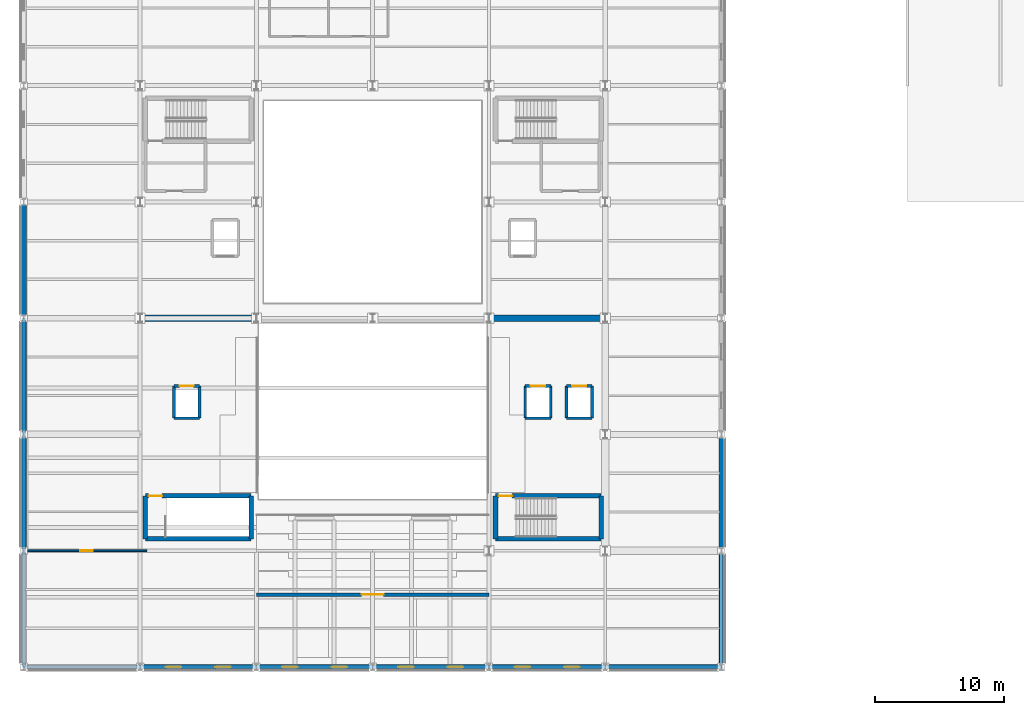
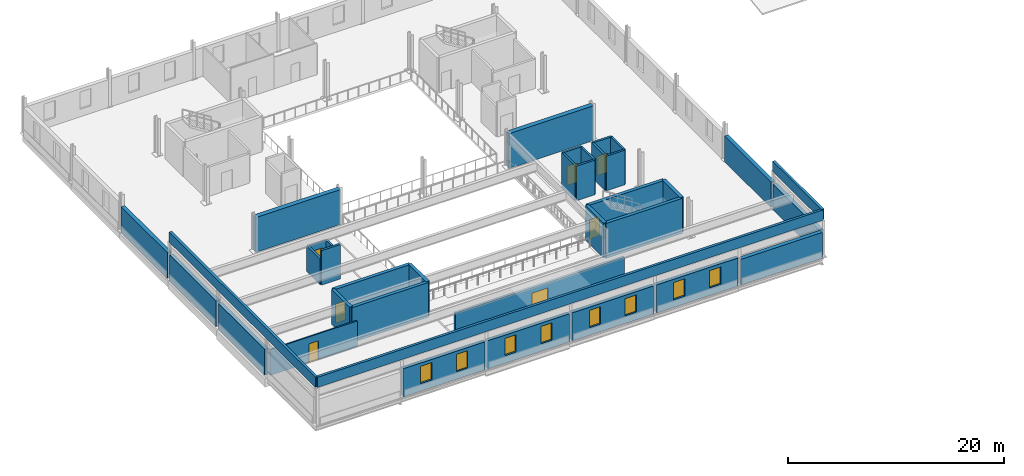
# One storey, part 9 of 17: 37 walls, 8 windows, 7 doors, 15 openings.
"""IFC4 building model written with IfcOpenShell, lengths in metres."""

from ifc_helpers import new_model, si_unit, direction, frame, frame_2d, origin, place, context, subcontext, project, spatial, rectangle, extrude, material, layer, layer_set, type_object, element, fill, save


model = new_model("IFC4")

# Units and contexts
model_context = context("Model", 3, precision=1e-05, world=origin(), true_north=direction((0.0, 1.0)))
body_context = subcontext(model_context, "Body", "Model", "MODEL_VIEW")
ifc_project = project(units=[si_unit("LENGTHUNIT", "METRE"), si_unit("AREAUNIT", "SQUARE_METRE"), si_unit("VOLUMEUNIT", "CUBIC_METRE"), si_unit("PLANEANGLEUNIT", "RADIAN"), si_unit("MASSUNIT", "GRAM", prefix="KILO")], contexts=[model_context])

# Site, building, storey
site_placement = place(None, origin())
site = spatial("IfcSite", under=ifc_project, at=site_placement, CompositionType="ELEMENT")
building_placement = place(site_placement, origin())
building = spatial("IfcBuilding", under=site, at=building_placement, Name="Sundgate Opera House", CompositionType="ELEMENT")
storey_placement = place(building_placement, frame((0.0, 0.0, 26.39990234375)))
storey = spatial("IfcBuildingStorey", under=building, at=storey_placement, Name="L05", CompositionType="ELEMENT", Elevation=26.39990234375)

# Wall
ifc_material_1 = material(Name="Concrete C40/50", Category="concrete")
ifc_layer_1 = layer(ifc_material_1, 0.35009765625)
ifc_layer_set_1 = layer_set([ifc_layer_1], Name="Concrete C40/50")
wall_type_1 = type_object("IfcWallType", Name="WL-CORE-350", PredefinedType="SHEAR", material=ifc_layer_set_1)
wall_1_placement = place(storey_placement, frame((36.409912109375, 42.909912109375, 0.0), z_axis=(0.0, 0.0, 1.0), x_axis=(1.0, 0.0, 0.0)))
element("IfcWall", 1, at=wall_1_placement, inside=storey, type_object=wall_type_1, Name="L05 C1 South Shaft Wall", PredefinedType="SHEAR", context=body_context, shape_type="SweptSolid", body=[
    extrude(rectangle(XDim=8.18017578125, YDim=0.35009765625, at=frame_2d((4.090087890625, 0.0))), origin(), (0.0, 0.0, 1.0), 3.940185546875),
])

# Wall, opening, door
wall_2_placement = place(storey_placement, frame((36.409912109375, 46.239990234375, 0.0), z_axis=(0.0, 0.0, 1.0), x_axis=(1.0, 0.0, 0.0)))
wall_2 = element("IfcWall", 2, at=wall_2_placement, inside=storey, type_object=wall_type_1, Name="L05 C1 North Shaft Wall", PredefinedType="SHEAR", context=body_context, shape_type="SweptSolid", body=[
    extrude(rectangle(XDim=8.18017578125, YDim=0.35009765625, at=frame_2d((4.090087890625, 0.0))), origin(), (0.0, 0.0, 1.0), 3.940185546875),
])
opening_1_placement = place(wall_2_placement, frame((0.239990234375, 0.0, 0.0)))
opening_1 = element("IfcOpeningElement", 3, at=opening_1_placement, cuts=wall_2, Name="Opening DI01", PredefinedType="OPENING", context=body_context, shape_type="SweptSolid", body=[
    extrude(rectangle(XDim=1.050048828125, YDim=2.179931640625, at=frame_2d((0.52490234375, 1.08984375))), frame((0.0, 0.18505859375, 0.0), z_axis=(0.0, -1.0, 0.0), x_axis=(1.0, 0.0, 0.0)), (0.0, 0.0, 1.0), 0.3701171875),
])
ifc_material_2 = material(Name="Acoustic hardwood timber and steel core", Category="steel")
door_type_1 = type_object("IfcDoorType", Name="DR-STAIR-1050x2180", OperationType="NOTDEFINED", PredefinedType="DOOR", material=ifc_material_2)
door_1_placement = place(opening_1_placement, origin())
door_1 = element("IfcDoor", 4, at=door_1_placement, inside=storey, type_object=door_type_1, Name="L05 C1 Stair Door D0031", OperationType="SINGLE_SWING_LEFT", OverallHeight=2.179931640625, OverallWidth=1.050048828125, PredefinedType="DOOR", context=body_context, shape_type="SweptSolid", body=[
    extrude(rectangle(XDim=1.050048828125, YDim=2.179931640625, at=frame_2d((0.52490234375, 1.08984375))), frame((0.0, 0.02490234375, 0.0), z_axis=(0.0, -1.0, 0.0), x_axis=(1.0, 0.0, 0.0)), (0.0, 0.0, 1.0), 0.050048828125),
])
fill(opening_1, door_1)

# Walls
for number, where, z_axis, x_axis, name in (
    (5, (36.409912109375, 42.909912109375, 0.0), (0.0, 0.0, 1.0), (0.0, 1.0, 0.0), "L05 C1 West Shaft Wall"),
    (6, (44.590087890625, 42.909912109375, 0.0), (0.0, 0.0, 1.0), (0.0, 1.0, 0.0), "L05 C1 East Shaft Wall"),
):
    element("IfcWall", number, at=place(storey_placement, frame(where, z_axis=z_axis, x_axis=x_axis)), inside=storey, type_object=wall_type_1, Name=name, PredefinedType="SHEAR", context=body_context, shape_type="SweptSolid", body=[
        extrude(rectangle(XDim=3.330078125, YDim=0.35009765625, at=frame_2d((1.6650390625, 0.0))), origin(), (0.0, 0.0, 1.0), 3.940185546875),
    ])
wall_3_placement = place(storey_placement, frame((63.510009765625, 42.909912109375, 0.0), z_axis=(0.0, 0.0, 1.0), x_axis=(1.0, 0.0, 0.0)))
element("IfcWall", 7, at=wall_3_placement, inside=storey, type_object=wall_type_1, Name="L05 C3 South Shaft Wall", PredefinedType="SHEAR", context=body_context, shape_type="SweptSolid", body=[
    extrude(rectangle(XDim=8.179931640625, YDim=0.35009765625, at=frame_2d((4.08984375, 0.0))), origin(), (0.0, 0.0, 1.0), 3.940185546875),
])

# Wall, opening, door
wall_4_placement = place(storey_placement, frame((63.510009765625, 46.239990234375, 0.0), z_axis=(0.0, 0.0, 1.0), x_axis=(1.0, 0.0, 0.0)))
wall_4 = element("IfcWall", 8, at=wall_4_placement, inside=storey, type_object=wall_type_1, Name="L05 C3 North Shaft Wall", PredefinedType="SHEAR", context=body_context, shape_type="SweptSolid", body=[
    extrude(rectangle(XDim=8.179931640625, YDim=0.35009765625, at=frame_2d((4.08984375, 0.0))), origin(), (0.0, 0.0, 1.0), 3.940185546875),
])
opening_2_placement = place(wall_4_placement, frame((0.239990234375, 0.0, 0.0)))
opening_2 = element("IfcOpeningElement", 9, at=opening_2_placement, cuts=wall_4, Name="Opening DI01", PredefinedType="OPENING", context=body_context, shape_type="SweptSolid", body=[
    extrude(rectangle(XDim=1.050048828125, YDim=2.179931640625, at=frame_2d((0.52490234375, 1.08984375))), frame((0.0, 0.18505859375, 0.0), z_axis=(0.0, -1.0, 0.0), x_axis=(1.0, 0.0, 0.0)), (0.0, 0.0, 1.0), 0.3701171875),
])
door_2_placement = place(opening_2_placement, origin())
door_2 = element("IfcDoor", 10, at=door_2_placement, inside=storey, type_object=door_type_1, Name="L05 C3 Stair Door D0054", OperationType="SINGLE_SWING_RIGHT", OverallHeight=2.179931640625, OverallWidth=1.050048828125, PredefinedType="DOOR", context=body_context, shape_type="SweptSolid", body=[
    extrude(rectangle(XDim=1.050048828125, YDim=2.179931640625, at=frame_2d((0.52490234375, 1.08984375))), frame((0.0, 0.02490234375, 0.0), z_axis=(0.0, -1.0, 0.0), x_axis=(1.0, 0.0, 0.0)), (0.0, 0.0, 1.0), 0.050048828125),
])
fill(opening_2, door_2)

# Walls
for number, where, z_axis, x_axis, name in (
    (11, (63.510009765625, 42.909912109375, 0.0), (0.0, 0.0, 1.0), (0.0, 1.0, 0.0), "L05 C3 West Shaft Wall"),
    (12, (71.68994140625, 42.909912109375, 0.0), (0.0, 0.0, 1.0), (0.0, 1.0, 0.0), "L05 C3 East Shaft Wall"),
):
    element("IfcWall", number, at=place(storey_placement, frame(where, z_axis=z_axis, x_axis=x_axis)), inside=storey, type_object=wall_type_1, Name=name, PredefinedType="SHEAR", context=body_context, shape_type="SweptSolid", body=[
        extrude(rectangle(XDim=3.330078125, YDim=0.35009765625, at=frame_2d((1.6650390625, 0.0))), origin(), (0.0, 0.0, 1.0), 3.940185546875),
    ])

# Wall, openings, windows
ifc_material_3 = material(Name="Vitrified stoneware trencadis and brick masonry", Category="masonry")
ifc_layer_2 = layer(ifc_material_3, 0.409912109375)
ifc_layer_set_2 = layer_set([ifc_layer_2], Name="Vitrified stoneware trencadis and brick masonry")
wall_type_2 = type_object("IfcWallType", Name="WL-EXT-TRENC-410", PredefinedType="SOLIDWALL", material=ifc_layer_set_2)
wall_5_placement = place(storey_placement, frame((44.85498046875, 33.0, 0.0), z_axis=(0.0, 0.0, 1.0), x_axis=(-1.0, 0.0, 0.0)))
wall_5 = element("IfcWall", 13, at=wall_5_placement, inside=storey, type_object=wall_type_2, Name="L05 Lifted Cube South Relief Wall W0119", PredefinedType="SOLIDWALL", context=body_context, shape_type="SweptSolid", body=[
    extrude(rectangle(XDim=8.7099609375, YDim=0.409912109375, at=frame_2d((4.35498046875, 0.0))), origin(), (0.0, 0.0, 1.0), 3.1650390625),
])
opening_3_placement = place(wall_5_placement, frame((1.839111328125, 0.0, 0.85009765625)))
opening_3 = element("IfcOpeningElement", 14, at=opening_3_placement, cuts=wall_5, Name="Opening W03", PredefinedType="OPENING", context=body_context, shape_type="SweptSolid", body=[
    extrude(rectangle(XDim=1.199951171875, YDim=1.949951171875, at=frame_2d((0.60009765625, 0.97509765625))), frame((0.0, 0.21484375, 0.0), z_axis=(0.0, -1.0, 0.0), x_axis=(1.0, 0.0, 0.0)), (0.0, 0.0, 1.0), 0.429931640625),
])
opening_4_placement = place(wall_5_placement, frame((5.6708984375, 0.0, 0.85009765625)))
opening_4 = element("IfcOpeningElement", 15, at=opening_4_placement, cuts=wall_5, Name="Opening W03", PredefinedType="OPENING", context=body_context, shape_type="SweptSolid", body=[
    extrude(rectangle(XDim=1.199951171875, YDim=1.949951171875, at=frame_2d((0.60009765625, 0.97509765625))), frame((0.0, 0.21484375, 0.0), z_axis=(0.0, -1.0, 0.0), x_axis=(1.0, 0.0, 0.0)), (0.0, 0.0, 1.0), 0.429931640625),
])
ifc_material_4 = material(Name="Low-iron triple glazing in patinated bronze frame", Category="glass")
window_type = type_object("IfcWindowType", Name="WN-CUBE-1200x1950", PartitioningType="SINGLE_PANEL", PredefinedType="WINDOW", material=ifc_material_4)
window_1_placement = place(opening_3_placement, origin())
window_1 = element("IfcWindow", 16, at=window_1_placement, inside=storey, type_object=window_type, Name="L05 Cube Loggia Window WN0107", OverallHeight=1.949951171875, OverallWidth=1.199951171875, PartitioningType="SINGLE_PANEL", PredefinedType="WINDOW", context=body_context, shape_type="SweptSolid", body=[
    extrude(rectangle(XDim=1.199951171875, YDim=1.949951171875, at=frame_2d((0.60009765625, 0.97509765625))), frame((0.0, 0.030029296875, 0.0), z_axis=(0.0, -1.0, 0.0), x_axis=(1.0, 0.0, 0.0)), (0.0, 0.0, 1.0), 0.06005859375),
])
fill(opening_3, window_1)
window_2_placement = place(opening_4_placement, origin())
window_2 = element("IfcWindow", 17, at=window_2_placement, inside=storey, type_object=window_type, Name="L05 Cube Loggia Window WN0108", OverallHeight=1.949951171875, OverallWidth=1.199951171875, PartitioningType="SINGLE_PANEL", PredefinedType="WINDOW", context=body_context, shape_type="SweptSolid", body=[
    extrude(rectangle(XDim=1.199951171875, YDim=1.949951171875, at=frame_2d((0.60009765625, 0.97509765625))), frame((0.0, 0.030029296875, 0.0), z_axis=(0.0, -1.0, 0.0), x_axis=(1.0, 0.0, 0.0)), (0.0, 0.0, 1.0), 0.06005859375),
])
fill(opening_4, window_2)

wall_6_placement = place(storey_placement, frame((53.85498046875, 33.0, 0.0), z_axis=(0.0, 0.0, 1.0), x_axis=(-1.0, 0.0, 0.0)))
wall_6 = element("IfcWall", 18, at=wall_6_placement, inside=storey, type_object=wall_type_2, Name="L05 Lifted Cube South Relief Wall W0121", PredefinedType="SOLIDWALL", context=body_context, shape_type="SweptSolid", body=[
    extrude(rectangle(XDim=8.7099609375, YDim=0.409912109375, at=frame_2d((4.35498046875, 0.0))), origin(), (0.0, 0.0, 1.0), 3.1650390625),
])
opening_5_placement = place(wall_6_placement, frame((1.839111328125, 0.0, 0.85009765625)))
opening_5 = element("IfcOpeningElement", 19, at=opening_5_placement, cuts=wall_6, Name="Opening W03", PredefinedType="OPENING", context=body_context, shape_type="SweptSolid", body=[
    extrude(rectangle(XDim=1.199951171875, YDim=1.949951171875, at=frame_2d((0.60009765625, 0.97509765625))), frame((0.0, 0.21484375, 0.0), z_axis=(0.0, -1.0, 0.0), x_axis=(1.0, 0.0, 0.0)), (0.0, 0.0, 1.0), 0.429931640625),
])
opening_6_placement = place(wall_6_placement, frame((5.6708984375, 0.0, 0.85009765625)))
opening_6 = element("IfcOpeningElement", 20, at=opening_6_placement, cuts=wall_6, Name="Opening W03", PredefinedType="OPENING", context=body_context, shape_type="SweptSolid", body=[
    extrude(rectangle(XDim=1.199951171875, YDim=1.949951171875, at=frame_2d((0.60009765625, 0.97509765625))), frame((0.0, 0.21484375, 0.0), z_axis=(0.0, -1.0, 0.0), x_axis=(1.0, 0.0, 0.0)), (0.0, 0.0, 1.0), 0.429931640625),
])
window_3_placement = place(opening_5_placement, origin())
window_3 = element("IfcWindow", 21, at=window_3_placement, inside=storey, type_object=window_type, Name="L05 Cube Loggia Window WN0111", OverallHeight=1.949951171875, OverallWidth=1.199951171875, PartitioningType="SINGLE_PANEL", PredefinedType="WINDOW", context=body_context, shape_type="SweptSolid", body=[
    extrude(rectangle(XDim=1.199951171875, YDim=1.949951171875, at=frame_2d((0.60009765625, 0.97509765625))), frame((0.0, 0.030029296875, 0.0), z_axis=(0.0, -1.0, 0.0), x_axis=(1.0, 0.0, 0.0)), (0.0, 0.0, 1.0), 0.06005859375),
])
fill(opening_5, window_3)
window_4_placement = place(opening_6_placement, origin())
window_4 = element("IfcWindow", 22, at=window_4_placement, inside=storey, type_object=window_type, Name="L05 Cube Loggia Window WN0112", OverallHeight=1.949951171875, OverallWidth=1.199951171875, PartitioningType="SINGLE_PANEL", PredefinedType="WINDOW", context=body_context, shape_type="SweptSolid", body=[
    extrude(rectangle(XDim=1.199951171875, YDim=1.949951171875, at=frame_2d((0.60009765625, 0.97509765625))), frame((0.0, 0.030029296875, 0.0), z_axis=(0.0, -1.0, 0.0), x_axis=(1.0, 0.0, 0.0)), (0.0, 0.0, 1.0), 0.06005859375),
])
fill(opening_6, window_4)

wall_7_placement = place(storey_placement, frame((62.85498046875, 33.0, 0.0), z_axis=(0.0, 0.0, 1.0), x_axis=(-1.0, 0.0, 0.0)))
wall_7 = element("IfcWall", 23, at=wall_7_placement, inside=storey, type_object=wall_type_2, Name="L05 Lifted Cube South Relief Wall W0123", PredefinedType="SOLIDWALL", context=body_context, shape_type="SweptSolid", body=[
    extrude(rectangle(XDim=8.7099609375, YDim=0.409912109375, at=frame_2d((4.35498046875, 0.0))), origin(), (0.0, 0.0, 1.0), 3.1650390625),
])
opening_7_placement = place(wall_7_placement, frame((1.839111328125, 0.0, 0.85009765625)))
opening_7 = element("IfcOpeningElement", 24, at=opening_7_placement, cuts=wall_7, Name="Opening W03", PredefinedType="OPENING", context=body_context, shape_type="SweptSolid", body=[
    extrude(rectangle(XDim=1.199951171875, YDim=1.949951171875, at=frame_2d((0.60009765625, 0.97509765625))), frame((0.0, 0.21484375, 0.0), z_axis=(0.0, -1.0, 0.0), x_axis=(1.0, 0.0, 0.0)), (0.0, 0.0, 1.0), 0.429931640625),
])
opening_8_placement = place(wall_7_placement, frame((5.6708984375, 0.0, 0.85009765625)))
opening_8 = element("IfcOpeningElement", 25, at=opening_8_placement, cuts=wall_7, Name="Opening W03", PredefinedType="OPENING", context=body_context, shape_type="SweptSolid", body=[
    extrude(rectangle(XDim=1.199951171875, YDim=1.949951171875, at=frame_2d((0.60009765625, 0.97509765625))), frame((0.0, 0.21484375, 0.0), z_axis=(0.0, -1.0, 0.0), x_axis=(1.0, 0.0, 0.0)), (0.0, 0.0, 1.0), 0.429931640625),
])
window_5_placement = place(opening_7_placement, origin())
window_5 = element("IfcWindow", 26, at=window_5_placement, inside=storey, type_object=window_type, Name="L05 Cube Loggia Window WN0115", OverallHeight=1.949951171875, OverallWidth=1.199951171875, PartitioningType="SINGLE_PANEL", PredefinedType="WINDOW", context=body_context, shape_type="SweptSolid", body=[
    extrude(rectangle(XDim=1.199951171875, YDim=1.949951171875, at=frame_2d((0.60009765625, 0.97509765625))), frame((0.0, 0.030029296875, 0.0), z_axis=(0.0, -1.0, 0.0), x_axis=(1.0, 0.0, 0.0)), (0.0, 0.0, 1.0), 0.06005859375),
])
fill(opening_7, window_5)
window_6_placement = place(opening_8_placement, origin())
window_6 = element("IfcWindow", 27, at=window_6_placement, inside=storey, type_object=window_type, Name="L05 Cube Loggia Window WN0116", OverallHeight=1.949951171875, OverallWidth=1.199951171875, PartitioningType="SINGLE_PANEL", PredefinedType="WINDOW", context=body_context, shape_type="SweptSolid", body=[
    extrude(rectangle(XDim=1.199951171875, YDim=1.949951171875, at=frame_2d((0.60009765625, 0.97509765625))), frame((0.0, 0.030029296875, 0.0), z_axis=(0.0, -1.0, 0.0), x_axis=(1.0, 0.0, 0.0)), (0.0, 0.0, 1.0), 0.06005859375),
])
fill(opening_8, window_6)

wall_8_placement = place(storey_placement, frame((71.85498046875, 33.0, 0.0), z_axis=(0.0, 0.0, 1.0), x_axis=(-1.0, 0.0, 0.0)))
wall_8 = element("IfcWall", 28, at=wall_8_placement, inside=storey, type_object=wall_type_2, Name="L05 Lifted Cube South Relief Wall W0125", PredefinedType="SOLIDWALL", context=body_context, shape_type="SweptSolid", body=[
    extrude(rectangle(XDim=8.7099609375, YDim=0.409912109375, at=frame_2d((4.35498046875, 0.0))), origin(), (0.0, 0.0, 1.0), 3.1650390625),
])
opening_9_placement = place(wall_8_placement, frame((1.839111328125, 0.0, 0.85009765625)))
opening_9 = element("IfcOpeningElement", 29, at=opening_9_placement, cuts=wall_8, Name="Opening W03", PredefinedType="OPENING", context=body_context, shape_type="SweptSolid", body=[
    extrude(rectangle(XDim=1.199951171875, YDim=1.949951171875, at=frame_2d((0.60009765625, 0.97509765625))), frame((0.0, 0.21484375, 0.0), z_axis=(0.0, -1.0, 0.0), x_axis=(1.0, 0.0, 0.0)), (0.0, 0.0, 1.0), 0.429931640625),
])
opening_10_placement = place(wall_8_placement, frame((5.6708984375, 0.0, 0.85009765625)))
opening_10 = element("IfcOpeningElement", 30, at=opening_10_placement, cuts=wall_8, Name="Opening W03", PredefinedType="OPENING", context=body_context, shape_type="SweptSolid", body=[
    extrude(rectangle(XDim=1.199951171875, YDim=1.949951171875, at=frame_2d((0.60009765625, 0.97509765625))), frame((0.0, 0.21484375, 0.0), z_axis=(0.0, -1.0, 0.0), x_axis=(1.0, 0.0, 0.0)), (0.0, 0.0, 1.0), 0.429931640625),
])
window_7_placement = place(opening_9_placement, origin())
window_7 = element("IfcWindow", 31, at=window_7_placement, inside=storey, type_object=window_type, Name="L05 Cube Loggia Window WN0119", OverallHeight=1.949951171875, OverallWidth=1.199951171875, PartitioningType="SINGLE_PANEL", PredefinedType="WINDOW", context=body_context, shape_type="SweptSolid", body=[
    extrude(rectangle(XDim=1.199951171875, YDim=1.949951171875, at=frame_2d((0.60009765625, 0.97509765625))), frame((0.0, 0.030029296875, 0.0), z_axis=(0.0, -1.0, 0.0), x_axis=(1.0, 0.0, 0.0)), (0.0, 0.0, 1.0), 0.06005859375),
])
fill(opening_9, window_7)
window_8_placement = place(opening_10_placement, origin())
window_8 = element("IfcWindow", 32, at=window_8_placement, inside=storey, type_object=window_type, Name="L05 Cube Loggia Window WN0120", OverallHeight=1.949951171875, OverallWidth=1.199951171875, PartitioningType="SINGLE_PANEL", PredefinedType="WINDOW", context=body_context, shape_type="SweptSolid", body=[
    extrude(rectangle(XDim=1.199951171875, YDim=1.949951171875, at=frame_2d((0.60009765625, 0.97509765625))), frame((0.0, 0.030029296875, 0.0), z_axis=(0.0, -1.0, 0.0), x_axis=(1.0, 0.0, 0.0)), (0.0, 0.0, 1.0), 0.06005859375),
])
fill(opening_10, window_8)

# Walls
wall_9_placement = place(storey_placement, frame((80.85498046875, 33.0, 0.0), z_axis=(0.0, 0.0, 1.0), x_axis=(-1.0, 0.0, 0.0)))
element("IfcWall", 33, at=wall_9_placement, inside=storey, type_object=wall_type_2, Name="L05 Lifted Cube South Relief Wall W0127", PredefinedType="SOLIDWALL", context=body_context, shape_type="SweptSolid", body=[
    extrude(rectangle(XDim=8.7099609375, YDim=0.409912109375, at=frame_2d((4.35498046875, 0.0))), origin(), (0.0, 0.0, 1.0), 2.905029296875),
])
for number, where, z_axis, x_axis, name in (
    (34, (81.0, 33.219970703125, 0.0), (0.0, 0.0, 1.0), (0.0, 1.0, 0.0), "L05 Lifted Cube East Relief Wall W0130"),
    (35, (27.0, 50.780029296875, 0.0), (0.0, 0.0, 1.0), (0.0, -1.0, 0.0), "L05 Lifted Cube West Relief Wall W0131"),
    (36, (81.0, 42.219970703125, 0.0), (0.0, 0.0, 1.0), (0.0, 1.0, 0.0), "L05 Lifted Cube East Relief Wall W0132"),
    (37, (27.0, 59.780029296875, 0.0), (0.0, 0.0, 1.0), (0.0, -1.0, 0.0), "L05 Lifted Cube West Relief Wall W0133"),
    (38, (27.0, 68.780029296875, 0.0), (0.0, 0.0, 1.0), (0.0, -1.0, 0.0), "L05 Lifted Cube West Relief Wall W0135"),
):
    element("IfcWall", number, at=place(storey_placement, frame(where, z_axis=z_axis, x_axis=x_axis)), inside=storey, type_object=wall_type_2, Name=name, PredefinedType="SOLIDWALL", context=body_context, shape_type="SweptSolid", body=[
        extrude(rectangle(XDim=8.56005859375, YDim=0.409912109375, at=frame_2d((4.280029296875, 0.0))), origin(), (0.0, 0.0, 1.0), 2.905029296875),
    ])

# Wall, opening, door
ifc_material_5 = material(Name="Acoustic masonry partition wall", Category="masonry")
ifc_layer_3 = layer(ifc_material_5, 0.260009765625)
ifc_layer_set_3 = layer_set([ifc_layer_3], Name="Acoustic masonry partition wall")
wall_type_3 = type_object("IfcWallType", Name="WL-INT-ACOUST-260", PredefinedType="PARTITIONING", material=ifc_layer_set_3)
wall_10_placement = place(storey_placement, frame((45.0, 38.60009765625, 0.0), z_axis=(0.0, 0.0, 1.0), x_axis=(1.0, 0.0, 0.0)))
wall_10 = element("IfcWall", 39, at=wall_10_placement, inside=storey, type_object=wall_type_3, Name="L05 Interior Partition W1089", PredefinedType="PARTITIONING", context=body_context, shape_type="SweptSolid", body=[
    extrude(rectangle(XDim=18.0, YDim=0.260009765625, at=frame_2d((9.0, 0.0))), origin(), (0.0, 0.0, 1.0), 2.905029296875),
])
opening_11_placement = place(wall_10_placement, frame((8.14990234375, 0.0, 0.0)))
opening_11 = element("IfcOpeningElement", 40, at=opening_11_placement, cuts=wall_10, Name="Opening DI04", PredefinedType="OPENING", context=body_context, shape_type="SweptSolid", body=[
    extrude(rectangle(XDim=1.699951171875, YDim=2.300048828125, at=frame_2d((0.85009765625, 1.14990234375))), frame((0.0, 0.139892578125, 0.0), z_axis=(0.0, -1.0, 0.0), x_axis=(1.0, 0.0, 0.0)), (0.0, 0.0, 1.0), 0.280029296875),
])
ifc_material_6 = material(Name="Acoustic hardwood timber and steel core", Category="steel")
door_type_2 = type_object("IfcDoorType", Name="DR-AUD-1700x2300", OperationType="DOUBLE_DOOR_SINGLE_SWING", PredefinedType="DOOR", material=ifc_material_6)
door_3_placement = place(opening_11_placement, origin())
door_3 = element("IfcDoor", 41, at=door_3_placement, inside=storey, type_object=door_type_2, Name="L05 Interior Door D0240", OperationType="DOUBLE_DOOR_SINGLE_SWING", OverallHeight=2.300048828125, OverallWidth=1.699951171875, PredefinedType="DOOR", context=body_context, shape_type="SweptSolid", body=[
    extrude(rectangle(XDim=1.699951171875, YDim=2.300048828125, at=frame_2d((0.85009765625, 1.14990234375))), frame((0.0, 0.02490234375, 0.0), z_axis=(0.0, -1.0, 0.0), x_axis=(1.0, 0.0, 0.0)), (0.0, 0.0, 1.0), 0.050048828125),
])
fill(opening_11, door_3)

# Wall
ifc_material_7 = material(Name="Fire-rated gypsum and mineral-wool shaft partition", Category="gypsum")
ifc_layer_4 = layer(ifc_material_7, 0.219970703125)
ifc_layer_set_4 = layer_set([ifc_layer_4], Name="Fire-rated gypsum and mineral-wool shaft partition")
wall_type_4 = type_object("IfcWallType", Name="WL-INT-FIRE-220", PredefinedType="PARTITIONING", material=ifc_layer_set_4)
wall_11_placement = place(storey_placement, frame((65.81005859375, 52.260009765625, 0.0), z_axis=(0.0, 0.0, 1.0), x_axis=(1.0, 0.0, 0.0)))
element("IfcWall", 42, at=wall_11_placement, inside=storey, type_object=wall_type_4, Name="L05 LF-01 South Shaft Wall", PredefinedType="PARTITIONING", context=body_context, shape_type="SweptSolid", body=[
    extrude(rectangle(XDim=1.97998046875, YDim=0.219970703125, at=frame_2d((0.989990234375, 0.0))), origin(), (0.0, 0.0, 1.0), 3.905029296875),
])

# Wall, opening, door
wall_12_placement = place(storey_placement, frame((65.81005859375, 54.739990234375, 0.0), z_axis=(0.0, 0.0, 1.0), x_axis=(1.0, 0.0, 0.0)))
wall_12 = element("IfcWall", 43, at=wall_12_placement, inside=storey, type_object=wall_type_4, Name="L05 LF-01 North Shaft Wall", PredefinedType="PARTITIONING", context=body_context, shape_type="SweptSolid", body=[
    extrude(rectangle(XDim=1.97998046875, YDim=0.219970703125, at=frame_2d((0.989990234375, 0.0))), origin(), (0.0, 0.0, 1.0), 3.905029296875),
])
opening_12_placement = place(wall_12_placement, frame((0.43994140625, 0.0, 0.0)))
opening_12 = element("IfcOpeningElement", 44, at=opening_12_placement, cuts=wall_12, Name="Opening LD1", PredefinedType="OPENING", context=body_context, shape_type="SweptSolid", body=[
    extrude(rectangle(XDim=1.10009765625, YDim=2.179931640625, at=frame_2d((0.550048828125, 1.08984375))), frame((0.0, 0.119873046875, 0.0), z_axis=(0.0, -1.0, 0.0), x_axis=(1.0, 0.0, 0.0)), (0.0, 0.0, 1.0), 0.239990234375),
])
ifc_material_8 = material(Name="Brushed stainless steel EN 1.4301", Category="steel")
door_type_3 = type_object("IfcDoorType", Name="DR-LIFT-1100x2180", OperationType="DOUBLE_DOOR_SLIDING", PredefinedType="DOOR", material=ifc_material_8)
door_4_placement = place(opening_12_placement, origin())
door_4 = element("IfcDoor", 45, at=door_4_placement, inside=storey, type_object=door_type_3, Name="L05 LF-01 Landing Door D0098", OperationType="DOUBLE_DOOR_SLIDING", OverallHeight=2.179931640625, OverallWidth=1.10009765625, PredefinedType="DOOR", context=body_context, shape_type="SweptSolid", body=[
    extrude(rectangle(XDim=1.10009765625, YDim=2.179931640625, at=frame_2d((0.550048828125, 1.08984375))), frame((0.0, 0.02490234375, 0.0), z_axis=(0.0, -1.0, 0.0), x_axis=(1.0, 0.0, 0.0)), (0.0, 0.0, 1.0), 0.050048828125),
])
fill(opening_12, door_4)

# Walls
for number, where, z_axis, x_axis, name in (
    (46, (65.81005859375, 52.260009765625, 0.0), (0.0, 0.0, 1.0), (0.0, 1.0, 0.0), "L05 LF-01 West Shaft Wall"),
    (47, (67.7900390625, 52.260009765625, 0.0), (0.0, 0.0, 1.0), (0.0, 1.0, 0.0), "L05 LF-01 East Shaft Wall"),
):
    element("IfcWall", number, at=place(storey_placement, frame(where, z_axis=z_axis, x_axis=x_axis)), inside=storey, type_object=wall_type_4, Name=name, PredefinedType="PARTITIONING", context=body_context, shape_type="SweptSolid", body=[
        extrude(rectangle(XDim=2.47998046875, YDim=0.219970703125, at=frame_2d((1.239990234375, 0.0))), origin(), (0.0, 0.0, 1.0), 3.905029296875),
    ])
wall_13_placement = place(storey_placement, frame((69.010009765625, 52.260009765625, 0.0), z_axis=(0.0, 0.0, 1.0), x_axis=(1.0, 0.0, 0.0)))
element("IfcWall", 48, at=wall_13_placement, inside=storey, type_object=wall_type_4, Name="L05 LF-02 South Shaft Wall", PredefinedType="PARTITIONING", context=body_context, shape_type="SweptSolid", body=[
    extrude(rectangle(XDim=1.97998046875, YDim=0.219970703125, at=frame_2d((0.989990234375, 0.0))), origin(), (0.0, 0.0, 1.0), 3.905029296875),
])

# Wall, opening, door
wall_14_placement = place(storey_placement, frame((69.010009765625, 54.739990234375, 0.0), z_axis=(0.0, 0.0, 1.0), x_axis=(1.0, 0.0, 0.0)))
wall_14 = element("IfcWall", 49, at=wall_14_placement, inside=storey, type_object=wall_type_4, Name="L05 LF-02 North Shaft Wall", PredefinedType="PARTITIONING", context=body_context, shape_type="SweptSolid", body=[
    extrude(rectangle(XDim=1.97998046875, YDim=0.219970703125, at=frame_2d((0.989990234375, 0.0))), origin(), (0.0, 0.0, 1.0), 3.905029296875),
])
opening_13_placement = place(wall_14_placement, frame((0.43994140625, 0.0, 0.0)))
opening_13 = element("IfcOpeningElement", 50, at=opening_13_placement, cuts=wall_14, Name="Opening LD1", PredefinedType="OPENING", context=body_context, shape_type="SweptSolid", body=[
    extrude(rectangle(XDim=1.10009765625, YDim=2.179931640625, at=frame_2d((0.550048828125, 1.08984375))), frame((0.0, 0.119873046875, 0.0), z_axis=(0.0, -1.0, 0.0), x_axis=(1.0, 0.0, 0.0)), (0.0, 0.0, 1.0), 0.239990234375),
])
door_5_placement = place(opening_13_placement, origin())
door_5 = element("IfcDoor", 51, at=door_5_placement, inside=storey, type_object=door_type_3, Name="L05 LF-02 Landing Door D0105", OperationType="DOUBLE_DOOR_SLIDING", OverallHeight=2.179931640625, OverallWidth=1.10009765625, PredefinedType="DOOR", context=body_context, shape_type="SweptSolid", body=[
    extrude(rectangle(XDim=1.10009765625, YDim=2.179931640625, at=frame_2d((0.550048828125, 1.08984375))), frame((0.0, 0.02490234375, 0.0), z_axis=(0.0, -1.0, 0.0), x_axis=(1.0, 0.0, 0.0)), (0.0, 0.0, 1.0), 0.050048828125),
])
fill(opening_13, door_5)

# Walls
for number, where, z_axis, x_axis, name in (
    (52, (69.010009765625, 52.260009765625, 0.0), (0.0, 0.0, 1.0), (0.0, 1.0, 0.0), "L05 LF-02 West Shaft Wall"),
    (53, (70.989990234375, 52.260009765625, 0.0), (0.0, 0.0, 1.0), (0.0, 1.0, 0.0), "L05 LF-02 East Shaft Wall"),
):
    element("IfcWall", number, at=place(storey_placement, frame(where, z_axis=z_axis, x_axis=x_axis)), inside=storey, type_object=wall_type_4, Name=name, PredefinedType="PARTITIONING", context=body_context, shape_type="SweptSolid", body=[
        extrude(rectangle(XDim=2.47998046875, YDim=0.219970703125, at=frame_2d((1.239990234375, 0.0))), origin(), (0.0, 0.0, 1.0), 3.905029296875),
    ])
wall_15_placement = place(storey_placement, frame((38.610107421875, 52.260009765625, 0.0), z_axis=(0.0, 0.0, 1.0), x_axis=(1.0, 0.0, 0.0)))
element("IfcWall", 54, at=wall_15_placement, inside=storey, type_object=wall_type_4, Name="L05 LF-03 South Shaft Wall", PredefinedType="PARTITIONING", context=body_context, shape_type="SweptSolid", body=[
    extrude(rectangle(XDim=1.97998046875, YDim=0.219970703125, at=frame_2d((0.989990234375, 0.0))), origin(), (0.0, 0.0, 1.0), 3.905029296875),
])

# Wall, opening, door
wall_16_placement = place(storey_placement, frame((38.610107421875, 54.739990234375, 0.0), z_axis=(0.0, 0.0, 1.0), x_axis=(1.0, 0.0, 0.0)))
wall_16 = element("IfcWall", 55, at=wall_16_placement, inside=storey, type_object=wall_type_4, Name="L05 LF-03 North Shaft Wall", PredefinedType="PARTITIONING", context=body_context, shape_type="SweptSolid", body=[
    extrude(rectangle(XDim=1.97998046875, YDim=0.219970703125, at=frame_2d((0.989990234375, 0.0))), origin(), (0.0, 0.0, 1.0), 2.905029296875),
])
opening_14_placement = place(wall_16_placement, frame((0.43994140625, 0.0, 0.0)))
opening_14 = element("IfcOpeningElement", 56, at=opening_14_placement, cuts=wall_16, Name="Opening LD1", PredefinedType="OPENING", context=body_context, shape_type="SweptSolid", body=[
    extrude(rectangle(XDim=1.10009765625, YDim=2.179931640625, at=frame_2d((0.550048828125, 1.08984375))), frame((0.0, 0.119873046875, 0.0), z_axis=(0.0, -1.0, 0.0), x_axis=(1.0, 0.0, 0.0)), (0.0, 0.0, 1.0), 0.239990234375),
])
door_6_placement = place(opening_14_placement, origin())
door_6 = element("IfcDoor", 57, at=door_6_placement, inside=storey, type_object=door_type_3, Name="L05 LF-03 Landing Door D0112", OperationType="DOUBLE_DOOR_SLIDING", OverallHeight=2.179931640625, OverallWidth=1.10009765625, PredefinedType="DOOR", context=body_context, shape_type="SweptSolid", body=[
    extrude(rectangle(XDim=1.10009765625, YDim=2.179931640625, at=frame_2d((0.550048828125, 1.08984375))), frame((0.0, 0.02490234375, 0.0), z_axis=(0.0, -1.0, 0.0), x_axis=(1.0, 0.0, 0.0)), (0.0, 0.0, 1.0), 0.050048828125),
])
fill(opening_14, door_6)

# Walls
for number, where, z_axis, x_axis, name in (
    (58, (38.610107421875, 52.260009765625, 0.0), (0.0, 0.0, 1.0), (0.0, 1.0, 0.0), "L05 LF-03 West Shaft Wall"),
    (59, (40.590087890625, 52.260009765625, 0.0), (0.0, 0.0, 1.0), (0.0, 1.0, 0.0), "L05 LF-03 East Shaft Wall"),
):
    element("IfcWall", number, at=place(storey_placement, frame(where, z_axis=z_axis, x_axis=x_axis)), inside=storey, type_object=wall_type_4, Name=name, PredefinedType="PARTITIONING", context=body_context, shape_type="SweptSolid", body=[
        extrude(rectangle(XDim=2.47998046875, YDim=0.219970703125, at=frame_2d((1.239990234375, 0.0))), origin(), (0.0, 0.0, 1.0), 2.905029296875),
    ])

# Wall, opening, door
ifc_material_9 = material(Name="General studio partition", Category="gypsum")
ifc_layer_5 = layer(ifc_material_9, 0.14501953125)
ifc_layer_set_5 = layer_set([ifc_layer_5], Name="General studio partition")
wall_type_5 = type_object("IfcWallType", Name="WL-INT-PART-145", PredefinedType="PARTITIONING", material=ifc_layer_set_5)
wall_17_placement = place(storey_placement, frame((27.199951171875, 42.0, 0.0), z_axis=(0.0, 0.0, 1.0), x_axis=(1.0, 0.0, 0.0)))
wall_17 = element("IfcWall", 60, at=wall_17_placement, inside=storey, type_object=wall_type_5, Name="L05 Interior Partition W1090", PredefinedType="PARTITIONING", context=body_context, shape_type="SweptSolid", body=[
    extrude(rectangle(XDim=9.300048828125, YDim=0.14501953125, at=frame_2d((4.64990234375, 0.0))), origin(), (0.0, 0.0, 1.0), 2.905029296875),
])
opening_15_placement = place(wall_17_placement, frame((4.14990234375, 0.0, 0.0)))
opening_15 = element("IfcOpeningElement", 61, at=opening_15_placement, cuts=wall_17, Name="Opening DI10", PredefinedType="OPENING", context=body_context, shape_type="SweptSolid", body=[
    extrude(rectangle(XDim=1.0, YDim=2.1201171875, at=frame_2d((0.5, 1.06005859375))), frame((0.0, 0.08251953125, 0.0), z_axis=(0.0, -1.0, 0.0), x_axis=(1.0, 0.0, 0.0)), (0.0, 0.0, 1.0), 0.1650390625),
])
ifc_material_10 = material(Name="Acoustic hardwood timber and steel core", Category="steel")
door_type_4 = type_object("IfcDoorType", Name="DR-UNR-1000x2120", OperationType="NOTDEFINED", PredefinedType="DOOR", material=ifc_material_10)
door_7_placement = place(opening_15_placement, origin())
door_7 = element("IfcDoor", 62, at=door_7_placement, inside=storey, type_object=door_type_4, Name="L05 Interior Door D0241", OperationType="SINGLE_SWING_RIGHT", OverallHeight=2.1201171875, OverallWidth=1.0, PredefinedType="DOOR", context=body_context, shape_type="SweptSolid", body=[
    extrude(rectangle(XDim=1.0, YDim=2.1201171875, at=frame_2d((0.5, 1.06005859375))), frame((0.0, 0.02490234375, 0.0), z_axis=(0.0, -1.0, 0.0), x_axis=(1.0, 0.0, 0.0)), (0.0, 0.0, 1.0), 0.050048828125),
])
fill(opening_15, door_7)

# Walls
ifc_material_11 = material(Name="Komstad limestone ashlar masonry", Category="masonry")
ifc_layer_6 = layer(ifc_material_11, 0.27001953125)
ifc_layer_set_6 = layer_set([ifc_layer_6], Name="Komstad limestone ashlar masonry")
wall_type_6 = type_object("IfcWallType", Name="WL-PAR-LIME-270", PredefinedType="PARAPET", material=ifc_layer_set_6)
wall_18_placement = place(storey_placement, frame((27.0, 33.0, 4.2001953125), z_axis=(0.0, 0.0, 1.0), x_axis=(1.0, 0.0, 0.0)))
element("IfcWall", 63, at=wall_18_placement, inside=storey, type_object=wall_type_6, Name="L05 Roof Parapet W0465", PredefinedType="PARAPET", context=body_context, shape_type="SweptSolid", body=[
    extrude(rectangle(XDim=54.0, YDim=0.27001953125, at=frame_2d((27.0, 0.0))), origin(), (0.0, 0.0, 1.0), 1.14990234375),
])
wall_19_placement = place(storey_placement, frame((27.0, 33.0, 4.2001953125), z_axis=(0.0, 0.0, 1.0), x_axis=(0.0, 1.0, 0.0)))
element("IfcWall", 64, at=wall_19_placement, inside=storey, type_object=wall_type_6, Name="L05 Roof Parapet W0466", PredefinedType="PARAPET", context=body_context, shape_type="SweptSolid", body=[
    extrude(rectangle(XDim=27.0, YDim=0.27001953125, at=frame_2d((13.5, 0.0))), origin(), (0.0, 0.0, 1.0), 1.14990234375),
])
wall_20_placement = place(storey_placement, frame((81.0, 33.0, 4.2001953125), z_axis=(0.0, 0.0, 1.0), x_axis=(0.0, 1.0, 0.0)))
element("IfcWall", 65, at=wall_20_placement, inside=storey, type_object=wall_type_6, Name="L05 Roof Parapet W0467", PredefinedType="PARAPET", context=body_context, shape_type="SweptSolid", body=[
    extrude(rectangle(XDim=9.0, YDim=0.27001953125, at=frame_2d((4.5, 0.0))), origin(), (0.0, 0.0, 1.0), 1.14990234375),
])
ifc_material_12 = material(Name="Concrete C40/50", Category="concrete")
ifc_layer_7 = layer(ifc_material_12, 0.47998046875)
ifc_layer_set_7 = layer_set([ifc_layer_7], Name="Concrete C40/50")
wall_type_7 = type_object("IfcWallType", Name="WL-PROS-480", PredefinedType="SHEAR", material=ifc_layer_set_7)
for number, where, z_axis, x_axis, name in (
    (66, (36.0, 60.0, 0.0), (0.0, 0.0, 1.0), (1.0, 0.0, 0.0), "L05 Proscenium Shear Wall W0020"),
    (67, (63.0, 60.0, 0.0), (0.0, 0.0, 1.0), (1.0, 0.0, 0.0), "L05 Proscenium Shear Wall W0021"),
):
    element("IfcWall", number, at=place(storey_placement, frame(where, z_axis=z_axis, x_axis=x_axis)), inside=storey, type_object=wall_type_7, Name=name, PredefinedType="SHEAR", context=body_context, shape_type="SweptSolid", body=[
        extrude(rectangle(XDim=9.0, YDim=0.47998046875, at=frame_2d((4.5, 0.0))), origin(), (0.0, 0.0, 1.0), 3.940185546875),
    ])

save(model, "model.ifc")
